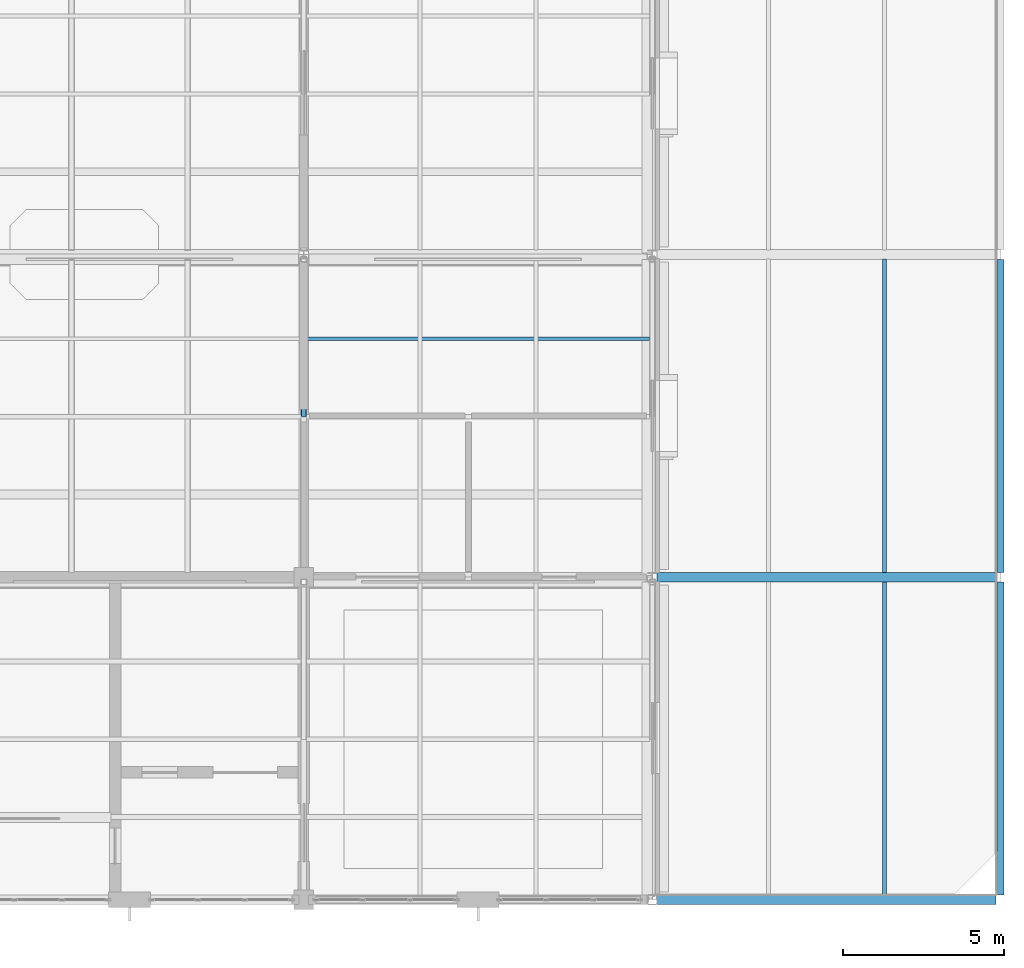
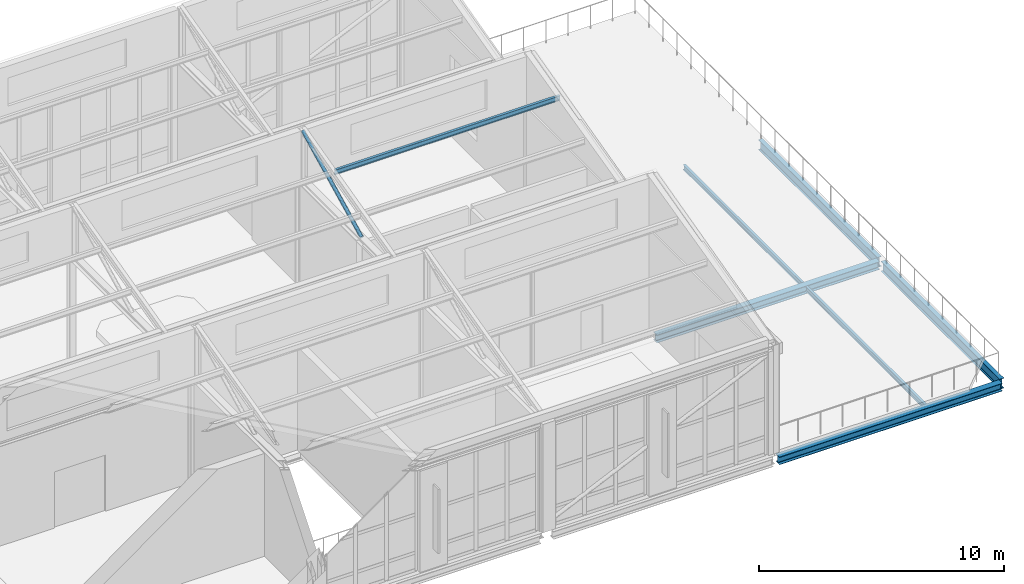
# One storey, part 27 of 49: 6 beams, 2 members.
"""IFC4 building model written with IfcOpenShell, lengths in metres."""

from ifc_helpers import new_model, si_unit, direction, frame, origin, origin_2d, place, context, subcontext, project, spatial, hollow_circle, i_section, extrude, material, material_profile, profile_set, type_object, element, save


model = new_model("IFC4")

# Units and contexts
model_context = context("Model", 3, precision=1e-05, world=origin(), true_north=direction((0.0, 1.0)))
body_context = subcontext(model_context, "Body", "Model", "MODEL_VIEW")
ifc_project = project(units=[si_unit("LENGTHUNIT", "METRE"), si_unit("AREAUNIT", "SQUARE_METRE"), si_unit("VOLUMEUNIT", "CUBIC_METRE"), si_unit("PLANEANGLEUNIT", "RADIAN"), si_unit("MASSUNIT", "GRAM", prefix="KILO")], contexts=[model_context])

# Site, building, storey
site_placement = place(None, origin())
site = spatial("IfcSite", under=ifc_project, at=site_placement, CompositionType="ELEMENT")
building_placement = place(site_placement, origin())
building = spatial("IfcBuilding", under=site, at=building_placement, Name="Tasgan Crest Museum", CompositionType="ELEMENT")
storey_placement = place(building_placement, frame((0.0, 0.0, 28.800048828125)))
storey = spatial("IfcBuildingStorey", under=building, at=storey_placement, Name="L05", CompositionType="ELEMENT", Elevation=28.800048828125)

# Beams
ifc_material_1 = material(Name="Steel S355J2", Category="steel")
ifc_material_profile_1 = material_profile(ifc_material_1, i_section(OverallWidth=0.300048828125, OverallDepth=0.389892578125, WebThickness=0.010986328125, FlangeThickness=0.01904296875, FilletRadius=0.027099609375, at=origin_2d()), Name="HEA 400")
ifc_profile_set_1 = profile_set([ifc_material_profile_1], Name="Steel S355J2")
beam_type_1 = type_object("IfcBeamType", Name="BM-G-HEA400", PredefinedType="BEAM", material=ifc_profile_set_1)
for number, where, z_axis, x_axis, name in (
    (1, (75.74609375, 82.0, -0.445068359375), (1.0, 0.0, 0.0), (0.0, 1.0, 0.0), "Girder L05 J 75.6-86.4"),
    (2, (75.74609375, 92.0, -0.445068359375), (1.0, 0.0, 0.0), (0.0, 1.0, 0.0), "Girder L05 K 75.6-86.4"),
):
    element("IfcBeam", number, at=place(storey_placement, frame(where, z_axis=z_axis, x_axis=x_axis)), inside=storey, type_object=beam_type_1, Name=name, PredefinedType="BEAM", context=body_context, shape_type="SweptSolid", body=[
        extrude(i_section(OverallWidth=0.300048828125, OverallDepth=0.389892578125, WebThickness=0.010986328125, FlangeThickness=0.01904296875, FilletRadius=0.027099609375, at=origin_2d()), origin(), (0.0, 0.0, 1.0), 10.5078125),
    ])
ifc_material_2 = material(Name="Steel S355J2", Category="steel")
ifc_material_profile_2 = material_profile(ifc_material_2, i_section(OverallWidth=0.199951171875, OverallDepth=0.5, WebThickness=0.01025390625, FlangeThickness=0.01611328125, FilletRadius=0.02099609375, at=origin_2d()), Name="IPE 500")
ifc_profile_set_2 = profile_set([ifc_material_profile_2], Name="Steel S355J2")
beam_type_2 = type_object("IfcBeamType", Name="BM-G-IPE500", PredefinedType="BEAM", material=ifc_profile_set_2)
beam_1_placement = place(storey_placement, frame((86.39990234375, 82.14501953125, -0.5), z_axis=(0.0, 1.0, 0.0), x_axis=(-1.0, 0.0, 0.0)))
element("IfcBeam", 3, at=beam_1_placement, inside=storey, type_object=beam_type_2, Name="Beam L05 9 82.0-92.0", PredefinedType="BEAM", context=body_context, shape_type="SweptSolid", body=[
    extrude(i_section(OverallWidth=0.199951171875, OverallDepth=0.5, WebThickness=0.01025390625, FlangeThickness=0.01611328125, FilletRadius=0.02099609375, at=origin_2d()), origin(), (0.0, 0.0, 1.0), 9.705078125),
])
beam_2_placement = place(storey_placement, frame((86.39990234375, 92.14990234375, -0.5), z_axis=(0.0, 1.0, 0.0), x_axis=(-1.0, 0.0, 0.0)))
element("IfcBeam", 4, at=beam_2_placement, inside=storey, type_object=beam_type_2, Name="Beam L05 9 92.0-102.0", PredefinedType="BEAM", context=body_context, shape_type="SweptSolid", body=[
    extrude(i_section(OverallWidth=0.199951171875, OverallDepth=0.5, WebThickness=0.01025390625, FlangeThickness=0.01611328125, FilletRadius=0.02099609375, at=origin_2d()), origin(), (0.0, 0.0, 1.0), 9.7001953125),
])
ifc_material_3 = material(Name="Steel S355J2", Category="steel")
ifc_material_profile_3 = material_profile(ifc_material_3, i_section(OverallWidth=0.1201171875, OverallDepth=0.239990234375, WebThickness=0.006103515625, FlangeThickness=0.009765625, FilletRadius=0.014892578125, at=origin_2d()), Name="IPE 240")
ifc_profile_set_3 = profile_set([ifc_material_profile_3], Name="Steel S355J2")
beam_type_3 = type_object("IfcBeamType", Name="BM-J-IPE240", PredefinedType="JOIST", material=ifc_profile_set_3)
for number, where, z_axis, x_axis, name in (
    (5, (82.800048828125, 82.14501953125, -0.3701171875), (0.0, 1.0, 0.0), (-1.0, 0.0, 0.0), "Secondary joist L05 X=82.8 Y=82.0-92.0"),
    (6, (82.800048828125, 92.14501953125, -0.3701171875), (0.0, 1.0, 0.0), (-1.0, 0.0, 0.0), "Secondary joist L05 X=82.8 Y=92.0-102.0"),
):
    element("IfcBeam", number, at=place(storey_placement, frame(where, z_axis=z_axis, x_axis=x_axis)), inside=storey, type_object=beam_type_3, Name=name, PredefinedType="JOIST", context=body_context, shape_type="SweptSolid", body=[
        extrude(i_section(OverallWidth=0.1201171875, OverallDepth=0.239990234375, WebThickness=0.006103515625, FlangeThickness=0.009765625, FilletRadius=0.014892578125, at=origin_2d()), origin(), (0.0, 0.0, 1.0), 9.7099609375),
    ])

# Members
ifc_material_4 = material(Name="Steel S355J2", Category="steel")
ifc_material_profile_4 = material_profile(ifc_material_4, i_section(OverallWidth=0.1201171875, OverallDepth=0.239990234375, WebThickness=0.006103515625, FlangeThickness=0.009765625, FilletRadius=0.014892578125, at=origin_2d()), Name="IPE 240")
ifc_profile_set_4 = profile_set([ifc_material_profile_4], Name="Steel S355J2")
member_type_1 = type_object("IfcMemberType", Name="MEM-PURLIN-240", PredefinedType="PURLIN", material=ifc_profile_set_4)
member_1_placement = place(storey_placement, frame((64.885009765625, 99.387451171875, 7.1298828125), z_axis=(1.0, 0.0, 0.0), x_axis=(0.0, 1.0, 0.0)))
element("IfcMember", 7, at=member_1_placement, inside=storey, type_object=member_type_1, Name="Sawtooth roof purlin B2 64.8-75.6 P3", PredefinedType="PURLIN", context=body_context, shape_type="SweptSolid", body=[
    extrude(i_section(OverallWidth=0.1201171875, OverallDepth=0.239990234375, WebThickness=0.006103515625, FlangeThickness=0.009765625, FilletRadius=0.014892578125, at=origin_2d()), origin(), (0.0, 0.0, 1.0), 10.6298828125),
])
ifc_material_5 = material(Name="Steel S355K2", Category="steel")
ifc_material_profile_5 = material_profile(ifc_material_5, hollow_circle(Radius=0.084228515625, WallThickness=0.008056640625, at=origin_2d()), Name="CHS 168.3x8")
ifc_profile_set_5 = profile_set([ifc_material_profile_5], Name="Steel S355K2")
member_type_2 = type_object("IfcMemberType", Name="TR-SAW-DIAG", PredefinedType="BRACE", material=ifc_profile_set_5)
member_2_placement = place(storey_placement, frame((64.800048828125, 97.0, 5.349853515625), z_axis=(0.0, 0.894418092416, 0.447231792205), x_axis=(-1.0, 0.0, 0.0)))
element("IfcMember", 8, at=member_2_placement, inside=storey, type_object=member_type_2, Name="Roof truss diagonal B2 7", PredefinedType="BRACE", context=body_context, shape_type="SweptSolid", body=[
    extrude(hollow_circle(Radius=0.084228515625, WallThickness=0.008056640625, at=origin_2d()), origin(), (0.0, 0.0, 1.0), 5.36669921875),
])

save(model, "model.ifc")
